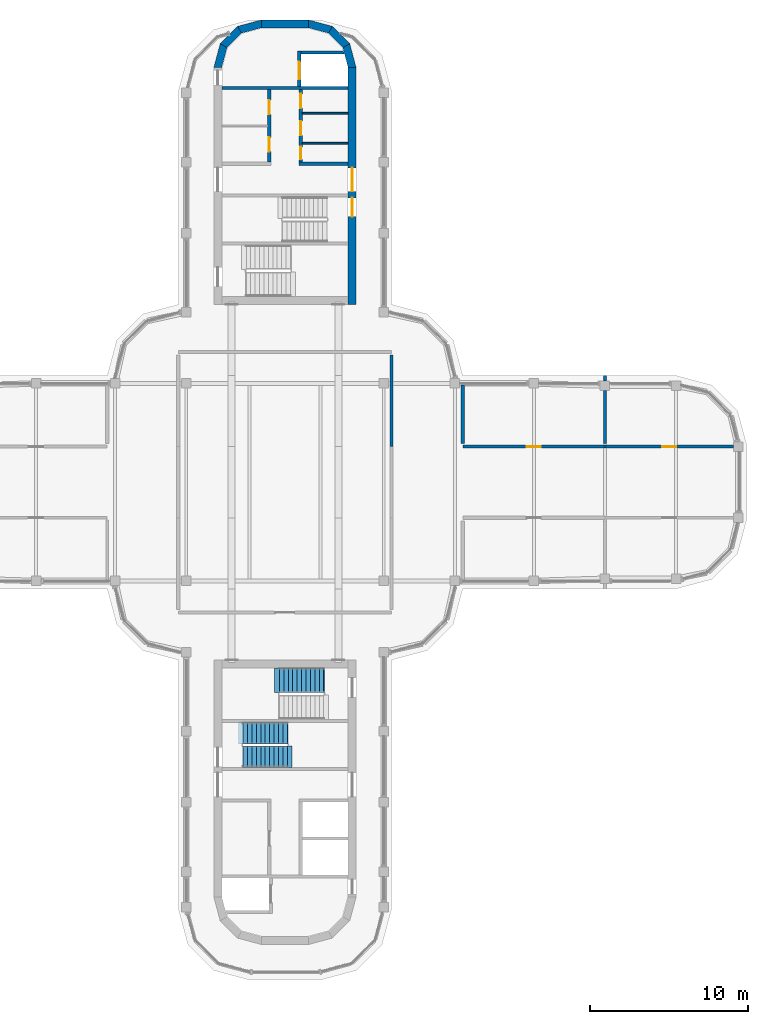
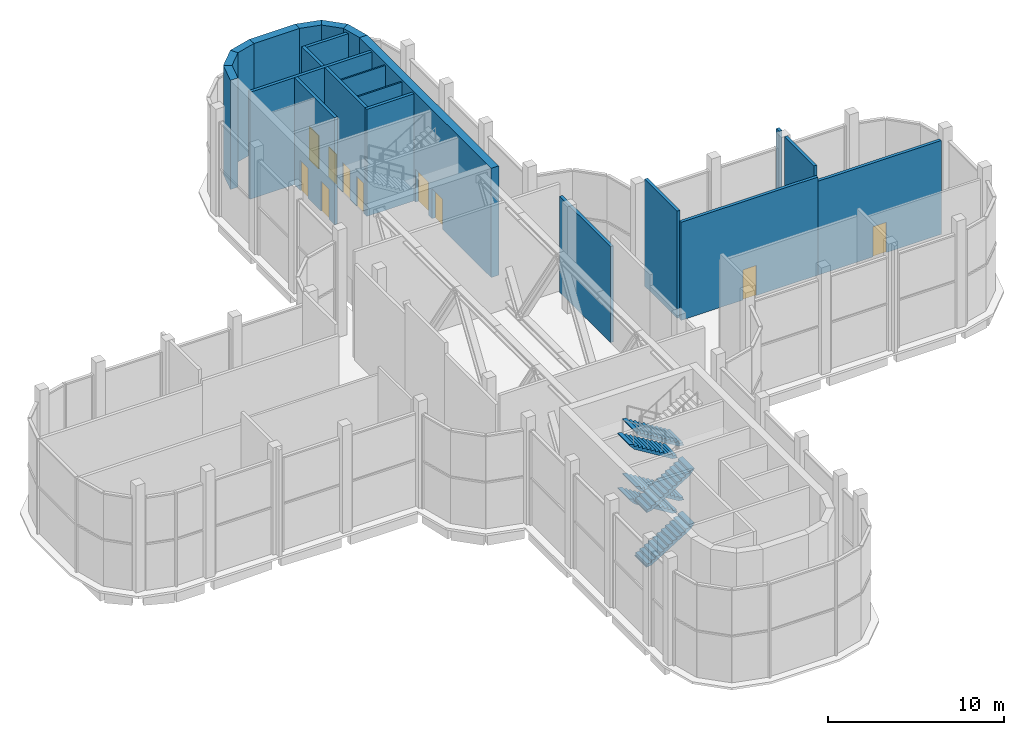
# One storey, part 12 of 15: 22 walls, 10 doors, 6 stair flights, 10 openings, 2 elements without a shape of their own.
"""IFC4 building model written with IfcOpenShell, lengths in metres."""

from ifc_helpers import new_model, si_unit, direction, frame, frame_2d, origin, place, context, subcontext, project, spatial, polyline, rectangle, outline, extrude, material, layer, layer_set, type_object, element, fill, aggregate, save


model = new_model("IFC4")

# Units and contexts
model_context = context("Model", 3, precision=1e-05, world=origin(), true_north=direction((0.0, 1.0)))
body_context = subcontext(model_context, "Body", "Model", "MODEL_VIEW")
ifc_project = project(units=[si_unit("LENGTHUNIT", "METRE"), si_unit("AREAUNIT", "SQUARE_METRE"), si_unit("VOLUMEUNIT", "CUBIC_METRE"), si_unit("PLANEANGLEUNIT", "RADIAN"), si_unit("MASSUNIT", "GRAM", prefix="KILO")], contexts=[model_context])

# Site, building, storey
site_placement = place(None, origin())
site = spatial("IfcSite", under=ifc_project, at=site_placement, CompositionType="ELEMENT")
building_placement = place(site_placement, origin())
building = spatial("IfcBuilding", under=site, at=building_placement, Name="Zarbagh Exchange Tower", CompositionType="ELEMENT")
storey_placement = place(building_placement, frame((0.0, 0.0, 284.0)))
storey = spatial("IfcBuildingStorey", under=building, at=storey_placement, Name="L70", CompositionType="ELEMENT", Elevation=284.0)

# Walls
ifc_material_1 = material(Name="Dense blockwork", Category="masonry")
ifc_layer_1 = layer(ifc_material_1, 0.10009765625)
ifc_layer_set_1 = layer_set([ifc_layer_1], Name="Core partition 100 mm blockwork")
wall_type_1 = type_object("IfcWallType", Name="Core partition 100 mm blockwork", PredefinedType="PARTITIONING", material=ifc_layer_set_1)
for number, where, z_axis, x_axis, name in (
    (1, (1.10009765625, 23.35009765625, 0.0), (0.0, 0.0, 1.0), (1.0, 0.0, 0.0), "North core partition wall CUT-E-500"),
    (2, (1.10009765625, 21.449951171875, 0.0), (0.0, 0.0, 1.0), (1.0, 0.0, 0.0), "North core partition wall CUT-E-690"),
):
    element("IfcWall", number, at=place(storey_placement, frame(where, z_axis=z_axis, x_axis=x_axis)), inside=storey, type_object=wall_type_1, Name=name, PredefinedType="PARTITIONING", context=body_context, shape_type="SweptSolid", body=[
        extrude(rectangle(XDim=2.89990234375, YDim=0.10009765625, at=frame_2d((1.449951171875, 0.0))), origin(), (0.0, 0.0, 1.0), 7.449951171875),
    ])
ifc_material_2 = material(Name="Concrete block partition", Category="concrete")
ifc_layer_2 = layer(ifc_material_2, 0.199951171875)
ifc_layer_set_2 = layer_set([ifc_layer_2], Name="Fire-rated block partition 200 EI 60")
wall_type_2 = type_object("IfcWallType", Name="Fire-rated block partition 200 EI 60", PredefinedType="PARTITIONING", material=ifc_layer_set_2)
wall_1_placement = place(storey_placement, frame((6.75, 8.050048828125, 0.0), z_axis=(0.0, 0.0, 1.0), x_axis=(0.0, -1.0, 0.0)))
element("IfcWall", 3, at=wall_1_placement, inside=storey, type_object=wall_type_2, Name="WL-L70-W008", PredefinedType="PARTITIONING", context=body_context, shape_type="SweptSolid", body=[
    extrude(rectangle(XDim=5.800048828125, YDim=0.199951171875, at=frame_2d((2.89990234375, 0.0))), origin(), (0.0, 0.0, 1.0), 6.680908203125),
])

# Wall, opening, door
wall_2_placement = place(storey_placement, frame((11.25, 2.25, 0.0), z_axis=(0.0, 0.0, 1.0), x_axis=(1.0, 0.0, 0.0)))
wall_2 = element("IfcWall", 4, at=wall_2_placement, inside=storey, type_object=wall_type_2, Name="WL-L70-W009", PredefinedType="PARTITIONING", context=body_context, shape_type="SweptSolid", body=[
    extrude(rectangle(XDim=9.0, YDim=0.199951171875, at=frame_2d((4.5, 0.0))), origin(), (0.0, 0.0, 1.0), 6.827880859375),
])
opening_1_placement = place(wall_2_placement, frame((4.050048828125, 0.0, 0.0)))
opening_1 = element("IfcOpeningElement", 5, at=opening_1_placement, cuts=wall_2, Name="Opening D02", PredefinedType="OPENING", context=body_context, shape_type="SweptSolid", body=[
    extrude(rectangle(XDim=0.89990234375, YDim=2.10009765625, at=frame_2d((0.449951171875, 1.050048828125))), frame((0.0, 0.10986328125, 0.0), z_axis=(0.0, -1.0, 0.0), x_axis=(1.0, 0.0, 0.0)), (0.0, 0.0, 1.0), 0.219970703125),
])
ifc_material_3 = material(Name="Steel door set", Category="steel")
door_type_1 = type_object("IfcDoorType", Name="Door single 900x2100 EI 60", OperationType="SINGLE_SWING_LEFT", PredefinedType="DOOR", material=ifc_material_3)
door_1_placement = place(opening_1_placement, origin())
door_1 = element("IfcDoor", 6, at=door_1_placement, inside=storey, type_object=door_type_1, Name="D02", OperationType="SINGLE_SWING_LEFT", OverallHeight=2.10009765625, OverallWidth=0.89990234375, PredefinedType="DOOR", context=body_context, shape_type="SweptSolid", body=[
    extrude(rectangle(XDim=0.89990234375, YDim=2.10009765625, at=frame_2d((0.449951171875, 1.050048828125))), frame((0.0, 0.02490234375, 0.0), z_axis=(0.0, -1.0, 0.0), x_axis=(1.0, 0.0, 0.0)), (0.0, 0.0, 1.0), 0.050048828125),
])
fill(opening_1, door_1)

wall_3_placement = place(storey_placement, frame((20.25, 2.25, 0.0), z_axis=(0.0, 0.0, 1.0), x_axis=(1.0, 0.0, 0.0)))
wall_3 = element("IfcWall", 7, at=wall_3_placement, inside=storey, type_object=wall_type_2, Name="WL-L70-W011", PredefinedType="PARTITIONING", context=body_context, shape_type="SweptSolid", body=[
    extrude(rectangle(XDim=8.1201171875, YDim=0.199951171875, at=frame_2d((4.06005859375, 0.0))), origin(), (0.0, 0.0, 1.0), 6.530029296875),
])
opening_2_placement = place(wall_3_placement, frame((3.610107421875, 0.0, 0.0)))
opening_2 = element("IfcOpeningElement", 8, at=opening_2_placement, cuts=wall_3, Name="Opening D04", PredefinedType="OPENING", context=body_context, shape_type="SweptSolid", body=[
    extrude(rectangle(XDim=0.89990234375, YDim=2.10009765625, at=frame_2d((0.449951171875, 1.050048828125))), frame((0.0, 0.10986328125, 0.0), z_axis=(0.0, -1.0, 0.0), x_axis=(1.0, 0.0, 0.0)), (0.0, 0.0, 1.0), 0.219970703125),
])
door_2_placement = place(opening_2_placement, origin())
door_2 = element("IfcDoor", 9, at=door_2_placement, inside=storey, type_object=door_type_1, Name="D04", OperationType="SINGLE_SWING_LEFT", OverallHeight=2.10009765625, OverallWidth=0.89990234375, PredefinedType="DOOR", context=body_context, shape_type="SweptSolid", body=[
    extrude(rectangle(XDim=0.89990234375, YDim=2.10009765625, at=frame_2d((0.449951171875, 1.050048828125))), frame((0.0, 0.02490234375, 0.0), z_axis=(0.0, -1.0, 0.0), x_axis=(1.0, 0.0, 0.0)), (0.0, 0.0, 1.0), 0.050048828125),
])
fill(opening_2, door_2)

# Walls
wall_4_placement = place(storey_placement, frame((20.25, 6.75, 0.0), z_axis=(0.0, 0.0, 1.0), x_axis=(0.0, -1.0, 0.0)))
element("IfcWall", 10, at=wall_4_placement, inside=storey, type_object=wall_type_2, Name="WL-L70-W017", PredefinedType="PARTITIONING", context=body_context, shape_type="SweptSolid", body=[
    extrude(rectangle(XDim=0.340087890625, YDim=0.199951171875, at=frame_2d((0.169921875, 0.0))), origin(), (0.0, 0.0, 1.0), 7.449951171875),
])
wall_5_placement = place(storey_placement, frame((20.25, 5.81005859375, 0.0), z_axis=(0.0, 0.0, 1.0), x_axis=(0.0, -1.0, 0.0)))
element("IfcWall", 11, at=wall_5_placement, inside=storey, type_object=wall_type_2, Name="WL-L70-W018", PredefinedType="PARTITIONING", context=body_context, shape_type="SweptSolid", body=[
    extrude(rectangle(XDim=3.360107421875, YDim=0.199951171875, at=frame_2d((1.68017578125, 0.0))), origin(), (0.0, 0.0, 1.0), 7.449951171875),
])
wall_6_placement = place(storey_placement, frame((11.25, 2.449951171875, 0.0), z_axis=(0.0, 0.0, 1.0), x_axis=(0.0, 1.0, 0.0)))
element("IfcWall", 12, at=wall_6_placement, inside=storey, type_object=wall_type_2, Name="WL-L70-W019", PredefinedType="PARTITIONING", context=body_context, shape_type="SweptSolid", body=[
    extrude(rectangle(XDim=3.699951171875, YDim=0.199951171875, at=frame_2d((1.85009765625, 0.0))), origin(), (0.0, 0.0, 1.0), 7.449951171875),
])
ifc_material_4 = material(Name="Concrete C40/50", Category="concrete")
ifc_layer_3 = layer(ifc_material_4, 0.5)
ifc_layer_set_3 = layer_set([ifc_layer_3], Name="RC core corner wall 500 C40/50")
wall_type_3 = type_object("IfcWallType", Name="RC core corner wall 500 C40/50", PredefinedType="SHEAR", material=ifc_layer_set_3)
wall_7_placement = place(storey_placement, origin())
element("IfcWall", 13, at=wall_7_placement, inside=storey, type_object=wall_type_3, Name="CW10 core N corner W", PredefinedType="SHEAR", context=body_context, shape_type="SweptSolid", body=[
    extrude(outline(polyline([(-4.5, 26.25), (-4.09814453125, 27.75), (-3.6650390625, 27.5), (-4.0, 26.25), (-4.5, 26.25)])), origin(), (0.0, 0.0, 1.0), 7.60009765625),
])
wall_8_placement = place(storey_placement, origin())
element("IfcWall", 14, at=wall_8_placement, inside=storey, type_object=wall_type_3, Name="CW10 core N corner W", PredefinedType="SHEAR", context=body_context, shape_type="SweptSolid", body=[
    extrude(outline(polyline([(-4.09814453125, 27.75), (-3.0, 28.84814453125), (-2.75, 28.4150390625), (-3.6650390625, 27.5), (-4.09814453125, 27.75)])), origin(), (0.0, 0.0, 1.0), 7.60009765625),
])
wall_9_placement = place(storey_placement, origin())
element("IfcWall", 15, at=wall_9_placement, inside=storey, type_object=wall_type_3, Name="CW10 core N corner W", PredefinedType="SHEAR", context=body_context, shape_type="SweptSolid", body=[
    extrude(outline(polyline([(-3.0, 28.84814453125), (-1.5, 29.25), (-1.5, 28.75), (-2.75, 28.4150390625), (-3.0, 28.84814453125)])), origin(), (0.0, 0.0, 1.0), 7.60009765625),
])
wall_10_placement = place(storey_placement, origin())
element("IfcWall", 16, at=wall_10_placement, inside=storey, type_object=wall_type_3, Name="CW10 core N corner E", PredefinedType="SHEAR", context=body_context, shape_type="SweptSolid", body=[
    extrude(outline(polyline([(4.5, 26.25), (4.09814453125, 27.75), (3.6650390625, 27.5), (4.0, 26.25), (4.5, 26.25)])), origin(), (0.0, 0.0, 1.0), 7.60009765625),
])
wall_11_placement = place(storey_placement, origin())
element("IfcWall", 17, at=wall_11_placement, inside=storey, type_object=wall_type_3, Name="CW10 core N corner E", PredefinedType="SHEAR", context=body_context, shape_type="SweptSolid", body=[
    extrude(outline(polyline([(4.09814453125, 27.75), (3.0, 28.84814453125), (2.75, 28.4150390625), (3.6650390625, 27.5), (4.09814453125, 27.75)])), origin(), (0.0, 0.0, 1.0), 7.60009765625),
])
wall_12_placement = place(storey_placement, origin())
element("IfcWall", 18, at=wall_12_placement, inside=storey, type_object=wall_type_3, Name="CW10 core N corner E", PredefinedType="SHEAR", context=body_context, shape_type="SweptSolid", body=[
    extrude(outline(polyline([(3.0, 28.84814453125), (1.5, 29.25), (1.5, 28.75), (2.75, 28.4150390625), (3.0, 28.84814453125)])), origin(), (0.0, 0.0, 1.0), 7.60009765625),
])

# Wall, openings, doors
ifc_layer_4 = layer(ifc_material_4, 0.5)
ifc_layer_set_4 = layer_set([ifc_layer_4], Name="RC core wall 500 C40/50")
wall_type_4 = type_object("IfcWallType", Name="RC core wall 500 C40/50", PredefinedType="SHEAR", material=ifc_layer_set_4)
wall_13_placement = place(storey_placement, frame((4.25, 11.25, 0.0), z_axis=(0.0, 0.0, 1.0), x_axis=(0.0, 1.0, 0.0)))
wall_13 = element("IfcWall", 19, at=wall_13_placement, inside=storey, type_object=wall_type_4, Name="CW9 core N E", PredefinedType="SHEAR", context=body_context, shape_type="SweptSolid", body=[
    extrude(rectangle(XDim=15.0, YDim=0.5, at=frame_2d((7.5, 0.0))), origin(), (0.0, 0.0, 1.0), 7.60009765625),
])
opening_3_placement = place(wall_13_placement, frame((7.14990234375, 0.0, 0.0)))
opening_3 = element("IfcOpeningElement", 20, at=opening_3_placement, cuts=wall_13, Name="Opening CD1-1500", PredefinedType="OPENING", context=body_context, shape_type="SweptSolid", body=[
    extrude(rectangle(XDim=1.5, YDim=2.300048828125, at=frame_2d((0.75, 1.14990234375))), frame((0.0, 0.260009765625, 0.0), z_axis=(0.0, -1.0, 0.0), x_axis=(1.0, 0.0, 0.0)), (0.0, 0.0, 1.0), 0.52001953125),
])
opening_4_placement = place(wall_13_placement, frame((5.550048828125, 0.0, 0.0)))
opening_4 = element("IfcOpeningElement", 21, at=opening_4_placement, cuts=wall_13, Name="Opening SD1-1200", PredefinedType="OPENING", context=body_context, shape_type="SweptSolid", body=[
    extrude(rectangle(XDim=1.199951171875, YDim=2.10009765625, at=frame_2d((0.60009765625, 1.050048828125))), frame((0.0, 0.260009765625, 0.0), z_axis=(0.0, -1.0, 0.0), x_axis=(1.0, 0.0, 0.0)), (0.0, 0.0, 1.0), 0.52001953125),
])
ifc_material_5 = material(Name="Steel", Category="steel")
door_type_2 = type_object("IfcDoorType", Name="Exit stair door 1200 x 2100", OperationType="NOTDEFINED", PredefinedType="DOOR", material=ifc_material_5)
door_3_placement = place(opening_4_placement, origin())
door_3 = element("IfcDoor", 22, at=door_3_placement, inside=storey, type_object=door_type_2, Name="North core stair door ST1", OperationType="SINGLE_SWING_LEFT", OverallHeight=2.10009765625, OverallWidth=1.199951171875, PredefinedType="DOOR", context=body_context, shape_type="SweptSolid", body=[
    extrude(rectangle(XDim=1.199951171875, YDim=2.10009765625, at=frame_2d((0.60009765625, 1.050048828125))), frame((0.0, 0.02490234375, 0.0), z_axis=(0.0, -1.0, 0.0), x_axis=(1.0, 0.0, 0.0)), (0.0, 0.0, 1.0), 0.050048828125),
])
fill(opening_4, door_3)
door_type_3 = type_object("IfcDoorType", Name="Lift lobby double door 1500 x 2300", OperationType="NOTDEFINED", PredefinedType="DOOR", material=ifc_material_5)
door_4_placement = place(opening_3_placement, origin())
door_4 = element("IfcDoor", 23, at=door_4_placement, inside=storey, type_object=door_type_3, Name="North core lift lobby door LOBBY-E", OperationType="DOUBLE_DOOR_SINGLE_SWING", OverallHeight=2.300048828125, OverallWidth=1.5, PredefinedType="DOOR", context=body_context, shape_type="SweptSolid", body=[
    extrude(rectangle(XDim=1.5, YDim=2.300048828125, at=frame_2d((0.75, 1.14990234375))), frame((0.0, 0.02490234375, 0.0), z_axis=(0.0, -1.0, 0.0), x_axis=(1.0, 0.0, 0.0)), (0.0, 0.0, 1.0), 0.050048828125),
])
fill(opening_3, door_4)

# Wall
wall_14_placement = place(storey_placement, frame((-1.5, 29.0, 0.0), z_axis=(0.0, 0.0, 1.0), x_axis=(1.0, 0.0, 0.0)))
element("IfcWall", 24, at=wall_14_placement, inside=storey, type_object=wall_type_4, Name="CW9 core N outer end", PredefinedType="SHEAR", context=body_context, shape_type="SweptSolid", body=[
    extrude(rectangle(XDim=3.0, YDim=0.5, at=frame_2d((1.5, 0.0))), origin(), (0.0, 0.0, 1.0), 7.60009765625),
])

# Wall, openings, doors
ifc_layer_5 = layer(ifc_material_1, 0.199951171875)
ifc_layer_set_5 = layer_set([ifc_layer_5], Name="Shaft wall 200 mm blockwork")
wall_type_5 = type_object("IfcWallType", Name="Shaft wall 200 mm blockwork", PredefinedType="PARTITIONING", material=ifc_layer_set_5)
wall_15_placement = place(storey_placement, frame((-1.0, 24.85009765625, 0.0), z_axis=(0.0, 0.0, 1.0), x_axis=(0.0, -1.0, 0.0)))
wall_15 = element("IfcWall", 25, at=wall_15_placement, inside=storey, type_object=wall_type_5, Name="North core shaft wall LW-W", PredefinedType="PARTITIONING", context=body_context, shape_type="SweptSolid", body=[
    extrude(rectangle(XDim=4.60009765625, YDim=0.199951171875, at=frame_2d((2.300048828125, 0.0))), origin(), (0.0, 0.0, 1.0), 7.449951171875),
])
opening_5_placement = place(wall_15_placement, frame((0.675048828125, 0.0, 0.0)))
opening_5 = element("IfcOpeningElement", 26, at=opening_5_placement, cuts=wall_15, Name="Opening CD3-900", PredefinedType="OPENING", context=body_context, shape_type="SweptSolid", body=[
    extrude(rectangle(XDim=0.89990234375, YDim=2.10009765625, at=frame_2d((0.449951171875, 1.050048828125))), frame((0.0, 0.10986328125, 0.0), z_axis=(0.0, -1.0, 0.0), x_axis=(1.0, 0.0, 0.0)), (0.0, 0.0, 1.0), 0.219970703125),
])
opening_6_placement = place(wall_15_placement, frame((3.02490234375, 0.0, 0.0)))
opening_6 = element("IfcOpeningElement", 27, at=opening_6_placement, cuts=wall_15, Name="Opening CD3-900", PredefinedType="OPENING", context=body_context, shape_type="SweptSolid", body=[
    extrude(rectangle(XDim=0.89990234375, YDim=2.10009765625, at=frame_2d((0.449951171875, 1.050048828125))), frame((0.0, 0.10986328125, 0.0), z_axis=(0.0, -1.0, 0.0), x_axis=(1.0, 0.0, 0.0)), (0.0, 0.0, 1.0), 0.219970703125),
])
door_type_4 = type_object("IfcDoorType", Name="Core room door 900 x 2100", OperationType="NOTDEFINED", PredefinedType="DOOR", material=ifc_material_5)
door_5_placement = place(opening_5_placement, origin())
door_5 = element("IfcDoor", 28, at=door_5_placement, inside=storey, type_object=door_type_4, Name="North core Plant room door RD-W-0", OperationType="SINGLE_SWING_LEFT", OverallHeight=2.10009765625, OverallWidth=0.89990234375, PredefinedType="DOOR", context=body_context, shape_type="SweptSolid", body=[
    extrude(rectangle(XDim=0.89990234375, YDim=2.10009765625, at=frame_2d((0.449951171875, 1.050048828125))), frame((0.0, 0.02490234375, 0.0), z_axis=(0.0, -1.0, 0.0), x_axis=(1.0, 0.0, 0.0)), (0.0, 0.0, 1.0), 0.050048828125),
])
fill(opening_5, door_5)
door_6_placement = place(opening_6_placement, origin())
door_6 = element("IfcDoor", 29, at=door_6_placement, inside=storey, type_object=door_type_4, Name="North core Switch room door RD-W-1", OperationType="SINGLE_SWING_RIGHT", OverallHeight=2.10009765625, OverallWidth=0.89990234375, PredefinedType="DOOR", context=body_context, shape_type="SweptSolid", body=[
    extrude(rectangle(XDim=0.89990234375, YDim=2.10009765625, at=frame_2d((0.449951171875, 1.050048828125))), frame((0.0, 0.02490234375, 0.0), z_axis=(0.0, -1.0, 0.0), x_axis=(1.0, 0.0, 0.0)), (0.0, 0.0, 1.0), 0.050048828125),
])
fill(opening_6, door_6)

# Wall
wall_16_placement = place(storey_placement, frame((0.89990234375, 20.14990234375, 0.0), z_axis=(0.0, 0.0, 1.0), x_axis=(1.0, 0.0, 0.0)))
element("IfcWall", 30, at=wall_16_placement, inside=storey, type_object=wall_type_5, Name="North core shaft wall AB-E", PredefinedType="PARTITIONING", context=body_context, shape_type="SweptSolid", body=[
    extrude(rectangle(XDim=3.10009765625, YDim=0.199951171875, at=frame_2d((1.550048828125, 0.0))), origin(), (0.0, 0.0, 1.0), 7.449951171875),
])

# Wall, openings, doors
wall_17_placement = place(storey_placement, frame((1.0, 24.85009765625, 0.0), z_axis=(0.0, 0.0, 1.0), x_axis=(0.0, -1.0, 0.0)))
wall_17 = element("IfcWall", 31, at=wall_17_placement, inside=storey, type_object=wall_type_5, Name="North core shaft wall LW-E", PredefinedType="PARTITIONING", context=body_context, shape_type="SweptSolid", body=[
    extrude(rectangle(XDim=4.60009765625, YDim=0.199951171875, at=frame_2d((2.300048828125, 0.0))), origin(), (0.0, 0.0, 1.0), 7.449951171875),
])
opening_7_placement = place(wall_17_placement, frame((0.27490234375, 0.0, 0.0)))
opening_7 = element("IfcOpeningElement", 32, at=opening_7_placement, cuts=wall_17, Name="Opening CD3-900", PredefinedType="OPENING", context=body_context, shape_type="SweptSolid", body=[
    extrude(rectangle(XDim=0.89990234375, YDim=2.10009765625, at=frame_2d((0.449951171875, 1.050048828125))), frame((0.0, 0.10986328125, 0.0), z_axis=(0.0, -1.0, 0.0), x_axis=(1.0, 0.0, 0.0)), (0.0, 0.0, 1.0), 0.219970703125),
])
opening_8_placement = place(wall_17_placement, frame((2.0, 0.0, 0.0)))
opening_8 = element("IfcOpeningElement", 33, at=opening_8_placement, cuts=wall_17, Name="Opening CD3-900", PredefinedType="OPENING", context=body_context, shape_type="SweptSolid", body=[
    extrude(rectangle(XDim=0.89990234375, YDim=2.10009765625, at=frame_2d((0.449951171875, 1.050048828125))), frame((0.0, 0.10986328125, 0.0), z_axis=(0.0, -1.0, 0.0), x_axis=(1.0, 0.0, 0.0)), (0.0, 0.0, 1.0), 0.219970703125),
])
opening_9_placement = place(wall_17_placement, frame((3.625, 0.0, 0.0)))
opening_9 = element("IfcOpeningElement", 34, at=opening_9_placement, cuts=wall_17, Name="Opening CD3-800", PredefinedType="OPENING", context=body_context, shape_type="SweptSolid", body=[
    extrude(rectangle(XDim=0.800048828125, YDim=2.10009765625, at=frame_2d((0.39990234375, 1.050048828125))), frame((0.0, 0.10986328125, 0.0), z_axis=(0.0, -1.0, 0.0), x_axis=(1.0, 0.0, 0.0)), (0.0, 0.0, 1.0), 0.219970703125),
])
door_type_5 = type_object("IfcDoorType", Name="Core room door 800 x 2100", OperationType="NOTDEFINED", PredefinedType="DOOR", material=ifc_material_5)
door_7_placement = place(opening_9_placement, origin())
door_7 = element("IfcDoor", 35, at=door_7_placement, inside=storey, type_object=door_type_5, Name="North core Control room door RD-E-2", OperationType="SINGLE_SWING_LEFT", OverallHeight=2.10009765625, OverallWidth=0.800048828125, PredefinedType="DOOR", context=body_context, shape_type="SweptSolid", body=[
    extrude(rectangle(XDim=0.800048828125, YDim=2.10009765625, at=frame_2d((0.39990234375, 1.050048828125))), frame((0.0, 0.02490234375, 0.0), z_axis=(0.0, -1.0, 0.0), x_axis=(1.0, 0.0, 0.0)), (0.0, 0.0, 1.0), 0.050048828125),
])
fill(opening_9, door_7)
door_8_placement = place(opening_7_placement, origin())
door_8 = element("IfcDoor", 36, at=door_8_placement, inside=storey, type_object=door_type_4, Name="North core Mechanical store door RD-E-0", OperationType="SINGLE_SWING_LEFT", OverallHeight=2.10009765625, OverallWidth=0.89990234375, PredefinedType="DOOR", context=body_context, shape_type="SweptSolid", body=[
    extrude(rectangle(XDim=0.89990234375, YDim=2.10009765625, at=frame_2d((0.449951171875, 1.050048828125))), frame((0.0, 0.02490234375, 0.0), z_axis=(0.0, -1.0, 0.0), x_axis=(1.0, 0.0, 0.0)), (0.0, 0.0, 1.0), 0.050048828125),
])
fill(opening_7, door_8)
door_9_placement = place(opening_8_placement, origin())
door_9 = element("IfcDoor", 37, at=door_9_placement, inside=storey, type_object=door_type_4, Name="North core Plant room door RD-E-1", OperationType="SINGLE_SWING_RIGHT", OverallHeight=2.10009765625, OverallWidth=0.89990234375, PredefinedType="DOOR", context=body_context, shape_type="SweptSolid", body=[
    extrude(rectangle(XDim=0.89990234375, YDim=2.10009765625, at=frame_2d((0.449951171875, 1.050048828125))), frame((0.0, 0.02490234375, 0.0), z_axis=(0.0, -1.0, 0.0), x_axis=(1.0, 0.0, 0.0)), (0.0, 0.0, 1.0), 0.050048828125),
])
fill(opening_8, door_9)

# Wall
ifc_layer_6 = layer(ifc_material_4, 0.199951171875)
ifc_layer_set_6 = layer_set([ifc_layer_6], Name="Stair enclosure wall 200 mm RC C40/50")
wall_type_6 = type_object("IfcWallType", Name="Stair enclosure wall 200 mm RC C40/50", PredefinedType="SHEAR", material=ifc_layer_set_6)
wall_18_placement = place(storey_placement, frame((-4.0, 24.949951171875, 0.0), z_axis=(0.0, 0.0, 1.0), x_axis=(1.0, 0.0, 0.0)))
element("IfcWall", 38, at=wall_18_placement, inside=storey, type_object=wall_type_6, Name="North core lift shaft wall FFA", PredefinedType="SHEAR", context=body_context, shape_type="SweptSolid", body=[
    extrude(rectangle(XDim=8.0, YDim=0.199951171875, at=frame_2d((4.0, 0.0))), origin(), (0.0, 0.0, 1.0), 7.449951171875),
])

# Wall, opening, door
wall_19_placement = place(storey_placement, frame((0.89990234375, 27.300048828125, 0.0), z_axis=(0.0, 0.0, 1.0), x_axis=(0.0, -1.0, 0.0)))
wall_19 = element("IfcWall", 39, at=wall_19_placement, inside=storey, type_object=wall_type_6, Name="North core lift shaft wall FFL", PredefinedType="SHEAR", context=body_context, shape_type="SweptSolid", body=[
    extrude(rectangle(XDim=2.25, YDim=0.199951171875, at=frame_2d((1.125, 0.0))), origin(), (0.0, 0.0, 1.0), 7.449951171875),
])
opening_10_placement = place(wall_19_placement, frame((0.699951171875, 0.0, 0.0)))
opening_10 = element("IfcOpeningElement", 40, at=opening_10_placement, cuts=wall_19, Name="Opening LD-1100", PredefinedType="OPENING", context=body_context, shape_type="SweptSolid", body=[
    extrude(rectangle(XDim=1.10009765625, YDim=2.300048828125, at=frame_2d((0.550048828125, 1.14990234375))), frame((0.0, 0.10986328125, 0.0), z_axis=(0.0, -1.0, 0.0), x_axis=(1.0, 0.0, 0.0)), (0.0, 0.0, 1.0), 0.219970703125),
])
ifc_material_6 = material(Name="Stainless steel", Category="steel")
door_type_6 = type_object("IfcDoorType", Name="Lift landing door 1100 x 2300", OperationType="NOTDEFINED", PredefinedType="DOOR", material=ifc_material_6)
door_10_placement = place(opening_10_placement, origin())
door_10 = element("IfcDoor", 41, at=door_10_placement, inside=storey, type_object=door_type_6, Name="North core lift landing door LD-F", OperationType="DOUBLE_DOOR_SLIDING", OverallHeight=2.300048828125, OverallWidth=1.10009765625, PredefinedType="DOOR", context=body_context, shape_type="SweptSolid", body=[
    extrude(rectangle(XDim=1.10009765625, YDim=2.300048828125, at=frame_2d((0.550048828125, 1.14990234375))), frame((0.0, 0.02490234375, 0.0), z_axis=(0.0, -1.0, 0.0), x_axis=(1.0, 0.0, 0.0)), (0.0, 0.0, 1.0), 0.050048828125),
])
fill(opening_10, door_10)

# Wall
wall_20_placement = place(storey_placement, origin())
element("IfcWall", 42, at=wall_20_placement, inside=storey, type_object=wall_type_6, Name="North core lift shaft wall FFX", PredefinedType="SHEAR", context=body_context, shape_type="SweptSolid", body=[
    extrude(outline(polyline([(1.0, 27.10009765625), (3.754638671875, 27.10009765625), (3.700927734375, 27.300048828125), (1.0, 27.300048828125), (1.0, 27.10009765625)])), origin(), (0.0, 0.0, 1.0), 7.449951171875),
])

# Stair, stair flights
stair_type = type_object("IfcStairType", Name="Exit stair two-flight half-turn", PredefinedType="HALF_TURN_STAIR", material=ifc_material_4)
stair_1_placement = place(storey_placement, origin())
stair_1 = element("IfcStair", 43, at=stair_1_placement, inside=storey, type_object=stair_type, Name="exit stair ST3", PredefinedType="HALF_TURN_STAIR")
stair_flight_type_1 = type_object("IfcStairFlightType", Name="Stair flight 1350 mm", PredefinedType="STRAIGHT", material=ifc_material_4)
stair_flight_1_placement = place(storey_placement, frame((-2.64990234375, -17.375, 0.0), z_axis=(0.0, 0.0, 1.0), x_axis=(1.0, 0.0, 0.0)))
stair_flight_1 = element("IfcStairFlight", 44, at=stair_flight_1_placement, type_object=stair_flight_type_1, Name="ST3 flight 1", NumberOfRisers=11, NumberOfTreads=10, PredefinedType="STRAIGHT", RiserHeight=0.172727273, TreadLength=0.28, context=body_context, shape_type="SweptSolid", body=[
    extrude(outline(polyline([(-0.050048828125, -0.050048828125), (-0.050048828125, 0.0), (0.0, 0.0), (0.0, 0.172607421875), (0.280029296875, 0.172607421875), (0.280029296875, 0.345458984375), (0.56005859375, 0.345458984375), (0.56005859375, 0.51806640625), (0.840087890625, 0.51806640625), (0.840087890625, 0.69091796875), (1.1201171875, 0.69091796875), (1.1201171875, 0.863525390625), (1.39990234375, 0.863525390625), (1.39990234375, 1.036376953125), (1.679931640625, 1.036376953125), (1.679931640625, 1.208984375), (1.9599609375, 1.208984375), (1.9599609375, 1.3818359375), (2.239990234375, 1.3818359375), (2.239990234375, 1.554443359375), (2.52001953125, 1.554443359375), (2.52001953125, 1.727294921875), (2.800048828125, 1.727294921875), (2.800048828125, 1.89990234375), (3.10009765625, 1.97998046875), (3.10009765625, 1.89990234375), (2.800048828125, 1.551025390625), (0.285400390625, 0.0), (-0.050048828125, -0.050048828125)])), frame((0.0, 0.675048828125, 0.0), z_axis=(0.0, -1.0, 0.0), x_axis=(1.0, 0.0, 0.0)), (0.0, 0.0, 1.0), 1.35009765625),
])
stair_flight_2_placement = place(storey_placement, frame((0.14990234375, -15.875, 1.89990234375), z_axis=(0.0, 0.0, 1.0), x_axis=(-1.0, 0.0, 0.0)))
stair_flight_2 = element("IfcStairFlight", 45, at=stair_flight_2_placement, type_object=stair_flight_type_1, Name="ST3 flight 2", NumberOfRisers=11, NumberOfTreads=10, PredefinedType="STRAIGHT", RiserHeight=0.172727273, TreadLength=0.28, context=body_context, shape_type="SweptSolid", body=[
    extrude(outline(polyline([(-0.050048828125, -0.050048828125), (-0.050048828125, 0.0), (0.0, 0.0), (0.0, 0.172607421875), (0.280029296875, 0.172607421875), (0.280029296875, 0.345458984375), (0.56005859375, 0.345458984375), (0.56005859375, 0.51806640625), (0.840087890625, 0.51806640625), (0.840087890625, 0.69091796875), (1.1201171875, 0.69091796875), (1.1201171875, 0.863525390625), (1.39990234375, 0.863525390625), (1.39990234375, 1.036376953125), (1.679931640625, 1.036376953125), (1.679931640625, 1.208984375), (1.9599609375, 1.208984375), (1.9599609375, 1.3818359375), (2.239990234375, 1.3818359375), (2.239990234375, 1.554443359375), (2.52001953125, 1.554443359375), (2.52001953125, 1.727294921875), (2.800048828125, 1.727294921875), (2.800048828125, 1.89990234375), (3.10009765625, 1.97998046875), (3.10009765625, 1.89990234375), (2.800048828125, 1.551025390625), (0.285400390625, 0.0), (-0.050048828125, -0.050048828125)])), frame((0.0, 0.675048828125, 0.0), z_axis=(0.0, -1.0, 0.0), x_axis=(1.0, 0.0, 0.0)), (0.0, 0.0, 1.0), 1.35009765625),
])
stair_flight_3_placement = place(storey_placement, frame((-2.64990234375, -17.375, 3.800048828125), z_axis=(0.0, 0.0, 1.0), x_axis=(1.0, 0.0, 0.0)))
stair_flight_3 = element("IfcStairFlight", 46, at=stair_flight_3_placement, type_object=stair_flight_type_1, Name="ST3 flight 3", NumberOfRisers=11, NumberOfTreads=10, PredefinedType="STRAIGHT", RiserHeight=0.172727273, TreadLength=0.28, context=body_context, shape_type="SweptSolid", body=[
    extrude(outline(polyline([(-0.050048828125, -0.050048828125), (-0.050048828125, 0.0), (0.0, 0.0), (0.0, 0.172607421875), (0.280029296875, 0.172607421875), (0.280029296875, 0.345458984375), (0.56005859375, 0.345458984375), (0.56005859375, 0.51806640625), (0.840087890625, 0.51806640625), (0.840087890625, 0.69091796875), (1.1201171875, 0.69091796875), (1.1201171875, 0.863525390625), (1.39990234375, 0.863525390625), (1.39990234375, 1.036376953125), (1.679931640625, 1.036376953125), (1.679931640625, 1.208984375), (1.9599609375, 1.208984375), (1.9599609375, 1.3818359375), (2.239990234375, 1.3818359375), (2.239990234375, 1.554443359375), (2.52001953125, 1.554443359375), (2.52001953125, 1.727294921875), (2.800048828125, 1.727294921875), (2.800048828125, 1.89990234375), (3.10009765625, 1.97998046875), (3.10009765625, 1.89990234375), (2.800048828125, 1.551025390625), (0.285400390625, 0.0), (-0.050048828125, -0.050048828125)])), frame((0.0, 0.675048828125, 0.0), z_axis=(0.0, -1.0, 0.0), x_axis=(1.0, 0.0, 0.0)), (0.0, 0.0, 1.0), 1.35009765625),
])
stair_flight_4_placement = place(storey_placement, frame((0.14990234375, -15.875, 5.699951171875), z_axis=(0.0, 0.0, 1.0), x_axis=(-1.0, 0.0, 0.0)))
stair_flight_4 = element("IfcStairFlight", 47, at=stair_flight_4_placement, type_object=stair_flight_type_1, Name="ST3 flight 4", NumberOfRisers=11, NumberOfTreads=10, PredefinedType="STRAIGHT", RiserHeight=0.172727273, TreadLength=0.28, context=body_context, shape_type="SweptSolid", body=[
    extrude(outline(polyline([(-0.050048828125, -0.050048828125), (-0.050048828125, 0.0), (0.0, 0.0), (0.0, 0.172607421875), (0.280029296875, 0.172607421875), (0.280029296875, 0.345458984375), (0.56005859375, 0.345458984375), (0.56005859375, 0.51806640625), (0.840087890625, 0.51806640625), (0.840087890625, 0.69091796875), (1.1201171875, 0.69091796875), (1.1201171875, 0.863525390625), (1.39990234375, 0.863525390625), (1.39990234375, 1.036376953125), (1.679931640625, 1.036376953125), (1.679931640625, 1.208984375), (1.9599609375, 1.208984375), (1.9599609375, 1.3818359375), (2.239990234375, 1.3818359375), (2.239990234375, 1.554443359375), (2.52001953125, 1.554443359375), (2.52001953125, 1.727294921875), (2.800048828125, 1.727294921875), (2.800048828125, 1.89990234375), (3.10009765625, 1.97998046875), (3.10009765625, 1.89990234375), (2.800048828125, 1.551025390625), (0.285400390625, 0.0), (-0.050048828125, -0.050048828125)])), frame((0.0, 0.675048828125, 0.0), z_axis=(0.0, -1.0, 0.0), x_axis=(1.0, 0.0, 0.0)), (0.0, 0.0, 1.0), 1.35009765625),
])
aggregate(stair_1, [stair_flight_1, stair_flight_2, stair_flight_3, stair_flight_4])

stair_2_placement = place(storey_placement, origin())
stair_2 = element("IfcStair", 48, at=stair_2_placement, inside=storey, type_object=stair_type, Name="exit stair ST4", PredefinedType="HALF_TURN_STAIR")
stair_flight_type_2 = type_object("IfcStairFlightType", Name="Stair flight 1550 mm", PredefinedType="STRAIGHT", material=ifc_material_4)
stair_flight_5_placement = place(storey_placement, frame((2.449951171875, -12.52490234375, 0.0), z_axis=(0.0, 0.0, 1.0), x_axis=(-1.0, 0.0, 0.0)))
stair_flight_5 = element("IfcStairFlight", 49, at=stair_flight_5_placement, type_object=stair_flight_type_2, Name="ST4 flight 1", NumberOfRisers=11, NumberOfTreads=10, PredefinedType="STRAIGHT", RiserHeight=0.172727273, TreadLength=0.28, context=body_context, shape_type="SweptSolid", body=[
    extrude(outline(polyline([(-0.050048828125, -0.050048828125), (-0.050048828125, 0.0), (0.0, 0.0), (0.0, 0.172607421875), (0.280029296875, 0.172607421875), (0.280029296875, 0.345458984375), (0.56005859375, 0.345458984375), (0.56005859375, 0.51806640625), (0.840087890625, 0.51806640625), (0.840087890625, 0.69091796875), (1.1201171875, 0.69091796875), (1.1201171875, 0.863525390625), (1.39990234375, 0.863525390625), (1.39990234375, 1.036376953125), (1.679931640625, 1.036376953125), (1.679931640625, 1.208984375), (1.9599609375, 1.208984375), (1.9599609375, 1.3818359375), (2.239990234375, 1.3818359375), (2.239990234375, 1.554443359375), (2.52001953125, 1.554443359375), (2.52001953125, 1.727294921875), (2.800048828125, 1.727294921875), (2.800048828125, 1.89990234375), (3.10009765625, 1.97998046875), (3.10009765625, 1.89990234375), (2.800048828125, 1.551025390625), (0.285400390625, 0.0), (-0.050048828125, -0.050048828125)])), frame((0.0, 0.77490234375, 0.0), z_axis=(0.0, -1.0, 0.0), x_axis=(1.0, 0.0, 0.0)), (0.0, 0.0, 1.0), 1.550048828125),
])
stair_flight_6_placement = place(storey_placement, frame((2.449951171875, -12.52490234375, 3.800048828125), z_axis=(0.0, 0.0, 1.0), x_axis=(-1.0, 0.0, 0.0)))
stair_flight_6 = element("IfcStairFlight", 50, at=stair_flight_6_placement, type_object=stair_flight_type_2, Name="ST4 flight 3", NumberOfRisers=11, NumberOfTreads=10, PredefinedType="STRAIGHT", RiserHeight=0.172727273, TreadLength=0.28, context=body_context, shape_type="SweptSolid", body=[
    extrude(outline(polyline([(-0.050048828125, -0.050048828125), (-0.050048828125, 0.0), (0.0, 0.0), (0.0, 0.172607421875), (0.280029296875, 0.172607421875), (0.280029296875, 0.345458984375), (0.56005859375, 0.345458984375), (0.56005859375, 0.51806640625), (0.840087890625, 0.51806640625), (0.840087890625, 0.69091796875), (1.1201171875, 0.69091796875), (1.1201171875, 0.863525390625), (1.39990234375, 0.863525390625), (1.39990234375, 1.036376953125), (1.679931640625, 1.036376953125), (1.679931640625, 1.208984375), (1.9599609375, 1.208984375), (1.9599609375, 1.3818359375), (2.239990234375, 1.3818359375), (2.239990234375, 1.554443359375), (2.52001953125, 1.554443359375), (2.52001953125, 1.727294921875), (2.800048828125, 1.727294921875), (2.800048828125, 1.89990234375), (3.10009765625, 1.97998046875), (3.10009765625, 1.89990234375), (2.800048828125, 1.551025390625), (0.285400390625, 0.0), (-0.050048828125, -0.050048828125)])), frame((0.0, 0.77490234375, 0.0), z_axis=(0.0, -1.0, 0.0), x_axis=(1.0, 0.0, 0.0)), (0.0, 0.0, 1.0), 1.550048828125),
])
aggregate(stair_2, [stair_flight_5, stair_flight_6])

save(model, "model.ifc")
